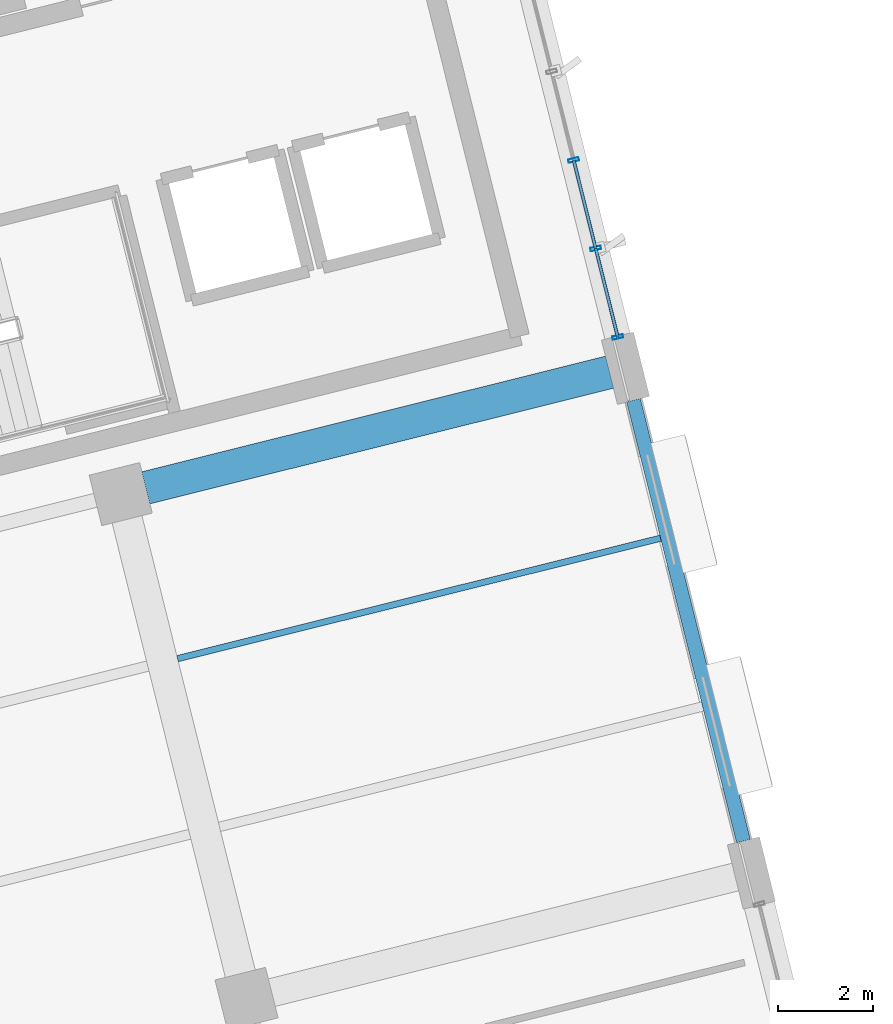
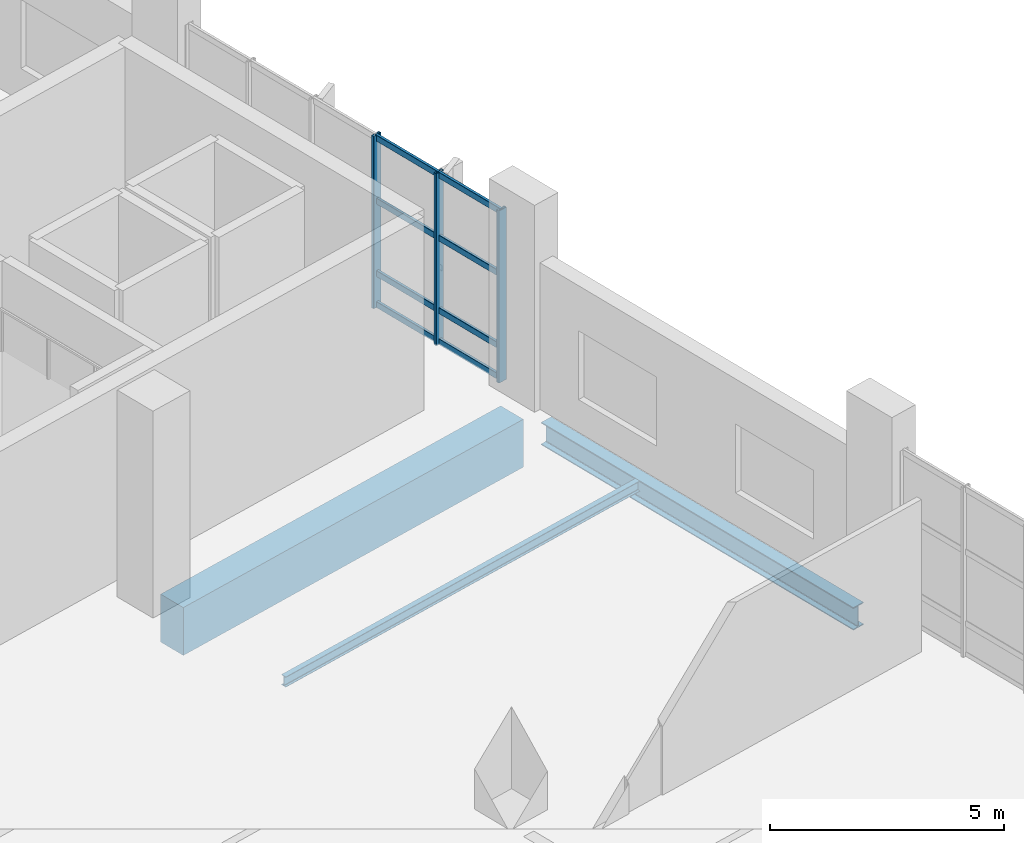
# One storey, part 80 of 176: 11 members, 3 beams, 1 element without a shape of its own.
"""IFC4 building model written with IfcOpenShell, lengths in metres."""

from ifc_helpers import new_model, si_unit, direction, frame, origin, origin_2d, place, context, subcontext, project, spatial, rectangle, hollow_rectangle, i_section, extrude, material, layer, layer_set, material_profile, profile_set, type_object, element, aggregate, save


model = new_model("IFC4")

# Units and contexts
model_context = context("Model", 3, precision=1e-05, world=origin(), true_north=direction((0.0, 1.0)))
body_context = subcontext(model_context, "Body", "Model", "MODEL_VIEW")
ifc_project = project(units=[si_unit("LENGTHUNIT", "METRE"), si_unit("AREAUNIT", "SQUARE_METRE"), si_unit("VOLUMEUNIT", "CUBIC_METRE"), si_unit("PLANEANGLEUNIT", "RADIAN"), si_unit("MASSUNIT", "GRAM", prefix="KILO")], contexts=[model_context])

# Site, building, storey
site_placement = place(None, origin())
site = spatial("IfcSite", under=ifc_project, at=site_placement, CompositionType="ELEMENT")
building_placement = place(site_placement, origin())
building = spatial("IfcBuilding", under=site, at=building_placement, Name="Khorjan Park Terminus", CompositionType="ELEMENT")
storey_placement = place(building_placement, frame((0.0, 0.0, 6.0)))
storey = spatial("IfcBuildingStorey", under=building, at=storey_placement, Name="L01", CompositionType="ELEMENT", Elevation=6.0)

# Beams
ifc_material_1 = material(Name="Steel S355", Category="steel")
ifc_material_profile_1 = material_profile(ifc_material_1, i_section(OverallWidth=0.3, OverallDepth=0.59, WebThickness=0.013, FlangeThickness=0.025, FilletRadius=0.027, at=origin_2d()), Name="HEA 600")
ifc_profile_set_1 = profile_set([ifc_material_profile_1], Name="Steel S355")
beam_type_1 = type_object("IfcBeamType", Name="BM-HEA600", PredefinedType="BEAM", material=ifc_profile_set_1)
beam_1_placement = place(storey_placement, frame((227.2102, 29.3145, -0.655), z_axis=(-0.241916119113, 0.970297166498, 0.0), x_axis=(-0.970297166498, -0.241916119113, 0.0)))
element("IfcBeam", 1, at=beam_1_placement, inside=storey, type_object=beam_type_1, Name="Primary skew-grid floor girder SB-A60 (L01)", PredefinedType="BEAM", context=body_context, shape_type="SweptSolid", body=[
    extrude(i_section(OverallWidth=0.3, OverallDepth=0.59, WebThickness=0.013, FlangeThickness=0.025, FilletRadius=0.027, at=origin_2d()), origin(), (0.0, 0.0, 1.0), 9.6099),
])
ifc_material_2 = material(Name="Concrete C40/50", Category="concrete")
ifc_material_profile_2 = material_profile(ifc_material_2, rectangle(XDim=0.7, YDim=1.25, at=origin_2d()), Name="RC 700x1250")
ifc_profile_set_2 = profile_set([ifc_material_profile_2], Name="Concrete C40/50")
beam_type_2 = type_object("IfcBeamType", Name="BM-RC700x1250", PredefinedType="BEAM", material=ifc_profile_set_2)
beam_2_placement = place(storey_placement, frame((214.5728, 36.7841, -0.985), z_axis=(0.970296490369, 0.241918830968, 0.0), x_axis=(-0.241918830968, 0.970296490369, 0.0)))
element("IfcBeam", 2, at=beam_2_placement, inside=storey, type_object=beam_type_2, Name="Primary skew-grid floor girder GB-125 (L01)", PredefinedType="BEAM", context=body_context, shape_type="SweptSolid", body=[
    extrude(rectangle(XDim=0.7, YDim=1.25, at=origin_2d()), origin(), (0.0, 0.0, 1.0), 10.11),
])
ifc_material_profile_3 = material_profile(ifc_material_1, i_section(OverallWidth=0.135, OverallDepth=0.27, WebThickness=0.0066, FlangeThickness=0.0102, FilletRadius=0.015, at=origin_2d()), Name="IPE 270")
ifc_profile_set_3 = profile_set([ifc_material_profile_3], Name="Steel S355")
beam_type_3 = type_object("IfcBeamType", Name="JS-IPE270", PredefinedType="JOIST", material=ifc_profile_set_3)
beam_3_placement = place(storey_placement, frame((215.2464, 33.1731, -0.495), z_axis=(0.970296002015, 0.241920789668, 0.0), x_axis=(-0.241920789668, 0.970296002015, 0.0)))
element("IfcBeam", 3, at=beam_3_placement, inside=storey, type_object=beam_type_3, Name="Secondary composite floor joist SJ-27 (L01)", PredefinedType="JOIST", context=body_context, shape_type="SweptSolid", body=[
    extrude(i_section(OverallWidth=0.135, OverallDepth=0.27, WebThickness=0.0066, FlangeThickness=0.0102, FilletRadius=0.015, at=origin_2d()), origin(), (0.0, 0.0, 1.0), 10.5249),
])

# Curtain wall, members
ifc_material_3 = material(Name="Anodized Bronze Aluminium", Category="aluminium")
ifc_layer = layer(ifc_material_3, 0.22)
ifc_layer_set = layer_set([ifc_layer], Name="Anodized Bronze Aluminium")
curtain_wall_type = type_object("IfcCurtainWallType", Name="CW-OPS-B", PredefinedType="NOTDEFINED", material=ifc_layer_set)
curtain_wall_placement = place(storey_placement, origin())
curtain_wall = element("IfcCurtainWall", 4, at=curtain_wall_placement, inside=storey, type_object=curtain_wall_type, Name="Unitized curtain wall CW-B (CW-V5-E-L01-B03)", PredefinedType="NOTDEFINED")
ifc_material_profile_4 = material_profile(ifc_material_3, hollow_rectangle(XDim=0.075, YDim=0.225, WallThickness=0.005, InnerFilletRadius=0.005, OuterFilletRadius=0.01, at=origin_2d()), Name="ALM 75x225x5")
ifc_profile_set_4 = profile_set([ifc_material_profile_4], Name="Anodized Bronze Aluminium")
member_type_1 = type_object("IfcMemberType", Name="ML-ALM-225", PredefinedType="MULLION", material=ifc_profile_set_4)
member_1_placement = place(storey_placement, frame((224.5528, 39.9729, -0.035), z_axis=(0.0, 0.0, 1.0), x_axis=(-0.241922975976, 0.970295456907, 0.0)))
member_1 = element("IfcMember", 5, at=member_1_placement, type_object=member_type_1, Name="Curtain-wall mullion ML-22 (CW-V5-E-L01-B03-0)", PredefinedType="MULLION", context=body_context, shape_type="SweptSolid", body=[
    extrude(hollow_rectangle(XDim=0.075, YDim=0.225, WallThickness=0.005, InnerFilletRadius=0.005, OuterFilletRadius=0.01, at=origin_2d()), origin(), (0.0, 0.0, 1.0), 4.495),
])
member_2_placement = place(storey_placement, frame((224.0863, 41.8438, -0.035), z_axis=(0.0, 0.0, 1.0), x_axis=(-0.241922975976, 0.970295456907, 0.0)))
member_2 = element("IfcMember", 6, at=member_2_placement, type_object=member_type_1, Name="Curtain-wall mullion ML-22 (CW-V5-E-L01-B03-1)", PredefinedType="MULLION", context=body_context, shape_type="SweptSolid", body=[
    extrude(hollow_rectangle(XDim=0.075, YDim=0.225, WallThickness=0.005, InnerFilletRadius=0.005, OuterFilletRadius=0.01, at=origin_2d()), origin(), (0.0, 0.0, 1.0), 4.495),
])
member_3_placement = place(storey_placement, frame((223.6199, 43.7146, -0.035), z_axis=(0.0, 0.0, 1.0), x_axis=(-0.241922975976, 0.970295456907, 0.0)))
member_3 = element("IfcMember", 7, at=member_3_placement, type_object=member_type_1, Name="Curtain-wall mullion ML-22 (CW-V5-E-L01-B03-2)", PredefinedType="MULLION", context=body_context, shape_type="SweptSolid", body=[
    extrude(hollow_rectangle(XDim=0.075, YDim=0.225, WallThickness=0.005, InnerFilletRadius=0.005, OuterFilletRadius=0.01, at=origin_2d()), origin(), (0.0, 0.0, 1.0), 4.495),
])
ifc_material_profile_5 = material_profile(ifc_material_3, hollow_rectangle(XDim=0.07, YDim=0.16, WallThickness=0.004, InnerFilletRadius=0.004, OuterFilletRadius=0.008, at=origin_2d()), Name="ALT 70x160x4")
ifc_profile_set_5 = profile_set([ifc_material_profile_5], Name="Anodized Bronze Aluminium")
member_type_2 = type_object("IfcMemberType", Name="TR-ALT-160", PredefinedType="USERDEFINED", material=ifc_profile_set_5)
member_4_placement = place(storey_placement, frame((224.5528, 39.9729, 0.04), z_axis=(-0.241937637138, 0.970291801334, 0.0), x_axis=(-0.970291801334, -0.241937637138, 0.0)))
member_4 = element("IfcMember", 8, at=member_4_placement, type_object=member_type_2, Name="Curtain-wall transom TR-16 (CW-V5-E-L01-B03-0-1)", ObjectType="TRANSOM", PredefinedType="USERDEFINED", context=body_context, shape_type="SweptSolid", body=[
    extrude(hollow_rectangle(XDim=0.07, YDim=0.16, WallThickness=0.004, InnerFilletRadius=0.004, OuterFilletRadius=0.008, at=origin_2d()), origin(), (0.0, 0.0, 1.0), 1.9282),
])
member_5_placement = place(storey_placement, frame((224.5528, 39.9729, 0.85), z_axis=(-0.241937637138, 0.970291801334, 0.0), x_axis=(-0.970291801334, -0.241937637138, 0.0)))
member_5 = element("IfcMember", 9, at=member_5_placement, type_object=member_type_2, Name="Curtain-wall transom TR-16 (CW-V5-E-L01-B03-0-2)", ObjectType="TRANSOM", PredefinedType="USERDEFINED", context=body_context, shape_type="SweptSolid", body=[
    extrude(hollow_rectangle(XDim=0.07, YDim=0.16, WallThickness=0.004, InnerFilletRadius=0.004, OuterFilletRadius=0.008, at=origin_2d()), origin(), (0.0, 0.0, 1.0), 1.9282),
])
member_6_placement = place(storey_placement, frame((224.5528, 39.9729, 2.7435), z_axis=(-0.241937637138, 0.970291801334, 0.0), x_axis=(-0.970291801334, -0.241937637138, 0.0)))
member_6 = element("IfcMember", 10, at=member_6_placement, type_object=member_type_2, Name="Curtain-wall transom TR-16 (CW-V5-E-L01-B03-0-3)", ObjectType="TRANSOM", PredefinedType="USERDEFINED", context=body_context, shape_type="SweptSolid", body=[
    extrude(hollow_rectangle(XDim=0.07, YDim=0.16, WallThickness=0.004, InnerFilletRadius=0.004, OuterFilletRadius=0.008, at=origin_2d()), origin(), (0.0, 0.0, 1.0), 1.9282),
])
member_7_placement = place(storey_placement, frame((224.5528, 39.9729, 4.385), z_axis=(-0.241937637138, 0.970291801334, 0.0), x_axis=(-0.970291801334, -0.241937637138, 0.0)))
member_7 = element("IfcMember", 11, at=member_7_placement, type_object=member_type_2, Name="Curtain-wall transom TR-16 (CW-V5-E-L01-B03-0-4)", ObjectType="TRANSOM", PredefinedType="USERDEFINED", context=body_context, shape_type="SweptSolid", body=[
    extrude(hollow_rectangle(XDim=0.07, YDim=0.16, WallThickness=0.004, InnerFilletRadius=0.004, OuterFilletRadius=0.008, at=origin_2d()), origin(), (0.0, 0.0, 1.0), 1.9282),
])
member_8_placement = place(storey_placement, frame((224.0863, 41.8438, 0.04), z_axis=(-0.241900982739, 0.970300940198, 0.0), x_axis=(-0.970300940198, -0.241900982739, 0.0)))
member_8 = element("IfcMember", 12, at=member_8_placement, type_object=member_type_2, Name="Curtain-wall transom TR-16 (CW-V5-E-L01-B03-1-1)", ObjectType="TRANSOM", PredefinedType="USERDEFINED", context=body_context, shape_type="SweptSolid", body=[
    extrude(hollow_rectangle(XDim=0.07, YDim=0.16, WallThickness=0.004, InnerFilletRadius=0.004, OuterFilletRadius=0.008, at=origin_2d()), origin(), (0.0, 0.0, 1.0), 1.9281),
])
member_9_placement = place(storey_placement, frame((224.0863, 41.8438, 0.85), z_axis=(-0.241900982739, 0.970300940198, 0.0), x_axis=(-0.970300940198, -0.241900982739, 0.0)))
member_9 = element("IfcMember", 13, at=member_9_placement, type_object=member_type_2, Name="Curtain-wall transom TR-16 (CW-V5-E-L01-B03-1-2)", ObjectType="TRANSOM", PredefinedType="USERDEFINED", context=body_context, shape_type="SweptSolid", body=[
    extrude(hollow_rectangle(XDim=0.07, YDim=0.16, WallThickness=0.004, InnerFilletRadius=0.004, OuterFilletRadius=0.008, at=origin_2d()), origin(), (0.0, 0.0, 1.0), 1.9281),
])
member_10_placement = place(storey_placement, frame((224.0863, 41.8438, 2.7435), z_axis=(-0.241900982739, 0.970300940198, 0.0), x_axis=(-0.970300940198, -0.241900982739, 0.0)))
member_10 = element("IfcMember", 14, at=member_10_placement, type_object=member_type_2, Name="Curtain-wall transom TR-16 (CW-V5-E-L01-B03-1-3)", ObjectType="TRANSOM", PredefinedType="USERDEFINED", context=body_context, shape_type="SweptSolid", body=[
    extrude(hollow_rectangle(XDim=0.07, YDim=0.16, WallThickness=0.004, InnerFilletRadius=0.004, OuterFilletRadius=0.008, at=origin_2d()), origin(), (0.0, 0.0, 1.0), 1.9281),
])
member_11_placement = place(storey_placement, frame((224.0863, 41.8438, 4.385), z_axis=(-0.241900982739, 0.970300940198, 0.0), x_axis=(-0.970300940198, -0.241900982739, 0.0)))
member_11 = element("IfcMember", 15, at=member_11_placement, type_object=member_type_2, Name="Curtain-wall transom TR-16 (CW-V5-E-L01-B03-1-4)", ObjectType="TRANSOM", PredefinedType="USERDEFINED", context=body_context, shape_type="SweptSolid", body=[
    extrude(hollow_rectangle(XDim=0.07, YDim=0.16, WallThickness=0.004, InnerFilletRadius=0.004, OuterFilletRadius=0.008, at=origin_2d()), origin(), (0.0, 0.0, 1.0), 1.9281),
])
aggregate(curtain_wall, [member_1, member_2, member_3, member_4, member_5, member_6, member_7, member_8, member_9, member_10, member_11])

save(model, "model.ifc")
